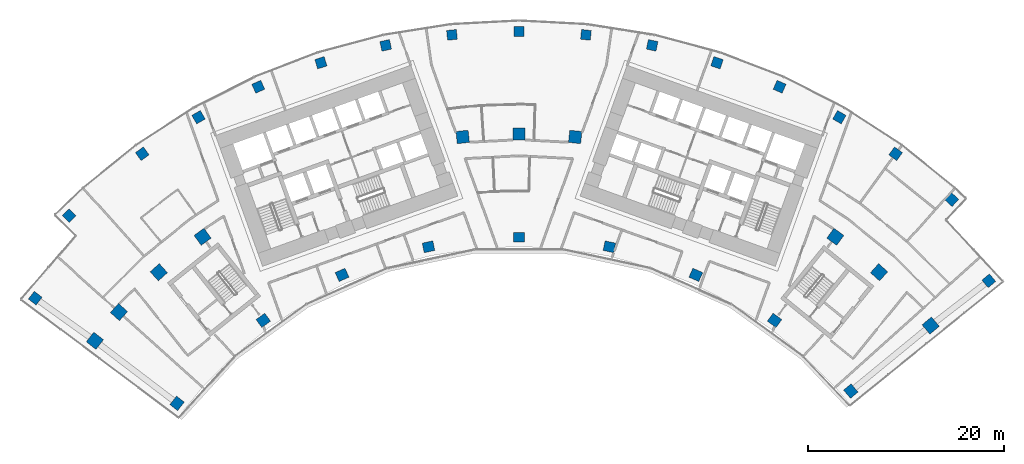
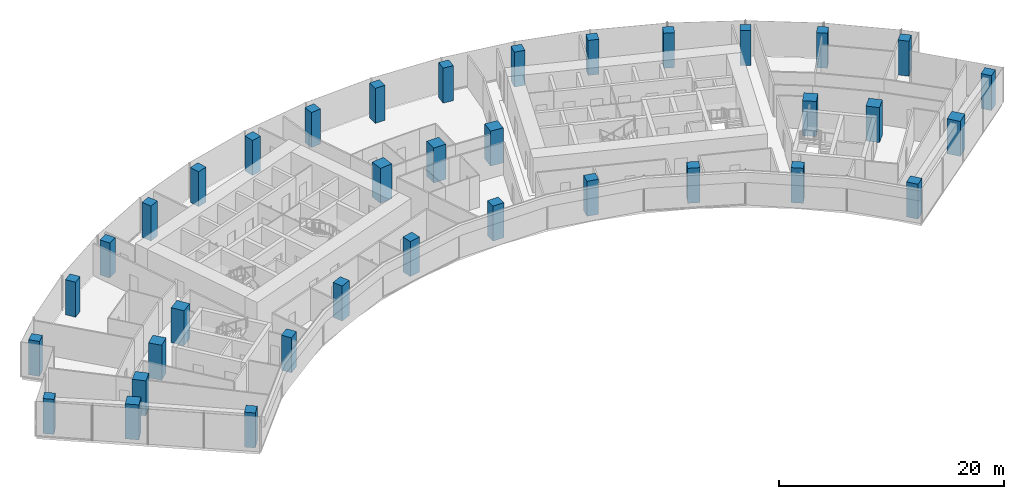
# One storey, part 1 of 21: 36 columns.
"""IFC4 building model written with IfcOpenShell, lengths in metres."""

from ifc_helpers import new_model, si_unit, direction, frame, origin, origin_2d, place, context, subcontext, project, spatial, rectangle, extrude, material, material_profile, profile_set, type_object, element, save


model = new_model("IFC4")

# Units and contexts
model_context = context("Model", 3, precision=1e-05, world=origin(), true_north=direction((0.0, 1.0)))
body_context = subcontext(model_context, "Body", "Model", "MODEL_VIEW")
ifc_project = project(units=[si_unit("LENGTHUNIT", "METRE"), si_unit("AREAUNIT", "SQUARE_METRE"), si_unit("VOLUMEUNIT", "CUBIC_METRE"), si_unit("PLANEANGLEUNIT", "RADIAN"), si_unit("MASSUNIT", "GRAM", prefix="KILO")], contexts=[model_context])

# Site, building, storey
site_placement = place(None, origin())
site = spatial("IfcSite", under=ifc_project, at=site_placement, CompositionType="ELEMENT")
building_placement = place(site_placement, origin())
building = spatial("IfcBuilding", under=site, at=building_placement, Name="Stone Belt Terrace Tower", CompositionType="ELEMENT")
storey_placement = place(building_placement, frame((0.0, 0.0, 163.0)))
storey = spatial("IfcBuildingStorey", under=building, at=storey_placement, Name="L39", CompositionType="ELEMENT", Elevation=163.0)

# Columns
ifc_material = material(Name="Concrete B80", Category="concrete")
ifc_material_profile_1 = material_profile(ifc_material, rectangle(XDim=1.0, YDim=1.0, at=origin_2d()), Name="RC 1000x1000")
ifc_profile_set_1 = profile_set([ifc_material_profile_1], Name="Concrete B80")
column_type_1 = type_object("IfcColumnType", Name="Column RC 1000x1000 B80", PredefinedType="COLUMN", material=ifc_profile_set_1)
for number, where, z_axis, x_axis, name in (
    (1, (-49.432861328125, 38.226318359375, 0.0), (0.0, 0.0, 1.0), (0.611730019057, 0.791066611472, 0.0), "Column L39 RA"),
    (2, (48.010498046875, 39.998291015625, 0.0), (0.0, 0.0, 1.0), (0.64008556283, -0.768303632854, 0.0), "Column L39 RB"),
    (3, (-45.95849609375, 46.654296875, 0.0), (0.0, 0.0, 1.0), (0.712398494182, 0.701775167334, 0.0), "Column L39 RNA"),
    (4, (-38.493408203125, 52.981689453125, 0.0), (0.0, 0.0, 1.0), (0.809016994375, 0.587785252292, 0.0), "Column L39 R16"),
    (5, (-32.744384765625, 56.715087890625, 0.0), (0.0, 0.0, 1.0), (0.866025403784, 0.5, 0.0), "Column L39 R17"),
    (6, (-26.63671875, 59.8271484375, 0.0), (0.0, 0.0, 1.0), (0.913545457643, 0.406736643076, 0.0), "Column L39 R18"),
    (7, (-20.2373046875, 62.28369140625, 0.0), (0.0, 0.0, 1.0), (0.951056516295, 0.309016994375, 0.0), "Column L39 R19"),
    (8, (-13.615966796875, 64.057861328125, 0.0), (0.0, 0.0, 1.0), (0.978147600734, 0.207911690818, 0.0), "Column L39 R20"),
    (9, (-6.845458984375, 65.130126953125, 0.0), (0.0, 0.0, 1.0), (0.994521895368, 0.104528463268, 0.0), "Column L39 R21"),
    (10, (0.0, 65.489013671875, 0.0), (0.0, 0.0, 1.0), (1.0, 0.0, 0.0), "Column L39 R22"),
    (11, (6.845458984375, 65.130126953125, 0.0), (0.0, 0.0, 1.0), (0.994521895368, -0.104528463268, 0.0), "Column L39 R23"),
    (12, (13.615966796875, 64.057861328125, 0.0), (0.0, 0.0, 1.0), (0.978147600734, -0.207911690818, 0.0), "Column L39 R24"),
    (13, (20.2373046875, 62.28369140625, 0.0), (0.0, 0.0, 1.0), (0.951056516295, -0.309016994375, 0.0), "Column L39 R25"),
    (14, (26.63671875, 59.8271484375, 0.0), (0.0, 0.0, 1.0), (0.913545457643, -0.406736643076, 0.0), "Column L39 R26"),
    (15, (32.744384765625, 56.715087890625, 0.0), (0.0, 0.0, 1.0), (0.866025403784, -0.5, 0.0), "Column L39 R27"),
    (16, (38.493408203125, 52.981689453125, 0.0), (0.0, 0.0, 1.0), (0.809016994375, -0.587785252292, 0.0), "Column L39 R28"),
    (17, (44.23193359375, 48.294189453125, 0.0), (0.0, 0.0, 1.0), (0.737441213814, -0.67541132369, 0.0), "Column L39 RNB"),
):
    element("IfcColumn", number, at=place(storey_placement, frame(where, z_axis=z_axis, x_axis=x_axis)), inside=storey, type_object=column_type_1, Name=name, PredefinedType="COLUMN", context=body_context, shape_type="SweptSolid", body=[
        extrude(rectangle(XDim=1.0, YDim=1.0, at=origin_2d()), origin(), (0.0, 0.0, 1.0), 3.800048828125),
    ])
ifc_material_profile_2 = material_profile(ifc_material, rectangle(XDim=1.10009765625, YDim=1.0, at=origin_2d()), Name="RC 1100x1000")
ifc_profile_set_2 = profile_set([ifc_material_profile_2], Name="Concrete B80")
column_type_2 = type_object("IfcColumnType", Name="Column RC 1100x1000 B80", PredefinedType="COLUMN", material=ifc_profile_set_2)
for number, where, z_axis, x_axis, name in (
    (18, (-34.93408203125, 27.476806640625, 0.0), (0.0, 0.0, 1.0), (0.618217727677, 0.786006896399, 0.0), "Column L39 PA"),
    (19, (-26.1240234375, 35.956787109375, 0.0), (0.0, 0.0, 1.0), (0.809016994375, 0.587785252292, 0.0), "Column L39 P16"),
    (20, (-18.077392578125, 40.6025390625, 0.0), (0.0, 0.0, 1.0), (0.913545457643, 0.406736643076, 0.0), "Column L39 P18"),
    (21, (-9.240478515625, 43.473876953125, 0.0), (0.0, 0.0, 1.0), (0.978147600734, 0.207911690818, 0.0), "Column L39 P20"),
    (22, (0.0, 44.445068359375, 0.0), (0.0, 0.0, 1.0), (1.0, 0.0, 0.0), "Column L39 P22"),
    (23, (9.240478515625, 43.473876953125, 0.0), (0.0, 0.0, 1.0), (0.978147600734, -0.207911690818, 0.0), "Column L39 P24"),
    (24, (18.077392578125, 40.6025390625, 0.0), (0.0, 0.0, 1.0), (0.913545457643, -0.406736643076, 0.0), "Column L39 P26"),
    (25, (26.1240234375, 35.956787109375, 0.0), (0.0, 0.0, 1.0), (0.809016994375, -0.587785252292, 0.0), "Column L39 P28"),
    (26, (33.912109375, 28.728515625, 0.0), (0.0, 0.0, 1.0), (0.646385031856, -0.763011396109, 0.0), "Column L39 PB"),
):
    element("IfcColumn", number, at=place(storey_placement, frame(where, z_axis=z_axis, x_axis=x_axis)), inside=storey, type_object=column_type_2, Name=name, PredefinedType="COLUMN", context=body_context, shape_type="SweptSolid", body=[
        extrude(rectangle(XDim=1.10009765625, YDim=1.0, at=origin_2d()), origin(), (0.0, 0.0, 1.0), 3.800048828125),
    ])
ifc_material_profile_3 = material_profile(ifc_material, rectangle(XDim=1.25, YDim=1.25, at=origin_2d()), Name="RC 1250x1250")
ifc_profile_set_3 = profile_set([ifc_material_profile_3], Name="Concrete B80")
column_type_3 = type_object("IfcColumnType", Name="Column RC 1250x1250 B80", PredefinedType="COLUMN", material=ifc_profile_set_3)
for number, where, z_axis, x_axis, name in (
    (27, (-43.33349609375, 33.870361328125, 0.0), (0.0, 0.0, 1.0), (0.615825127294, 0.787882867306, 0.0), "Column L39 QA"),
    (28, (-40.873046875, 36.80224609375, 0.0), (0.0, 0.0, 1.0), (0.669130606359, 0.743144825477, 0.0), "Column L39 Q14"),
    (29, (-36.80224609375, 40.873046875, 0.0), (0.0, 0.0, 1.0), (0.743144825477, 0.669130606359, 0.0), "Column L39 Q15"),
    (30, (-32.328125, 44.495849609375, 0.0), (0.0, 0.0, 1.0), (0.809016994375, 0.587785252292, 0.0), "Column L39 Q16"),
    (31, (-5.7490234375, 54.69873046875, 0.0), (0.0, 0.0, 1.0), (0.994521895368, 0.104528463268, 0.0), "Column L39 Q21"),
    (32, (0.0, 55.0, 0.0), (0.0, 0.0, 1.0), (1.0, 0.0, 0.0), "Column L39 Q22"),
    (33, (5.7490234375, 54.69873046875, 0.0), (0.0, 0.0, 1.0), (0.994521895368, -0.104528463268, 0.0), "Column L39 Q23"),
    (34, (32.328125, 44.495849609375, 0.0), (0.0, 0.0, 1.0), (0.809016994375, -0.587785252292, 0.0), "Column L39 Q28"),
    (35, (36.80224609375, 40.873046875, 0.0), (0.0, 0.0, 1.0), (0.743144825477, -0.669130606359, 0.0), "Column L39 Q29"),
    (36, (42.073486328125, 35.42333984375, 0.0), (0.0, 0.0, 1.0), (0.644062215859, -0.764973112013, 0.0), "Column L39 QB"),
):
    element("IfcColumn", number, at=place(storey_placement, frame(where, z_axis=z_axis, x_axis=x_axis)), inside=storey, type_object=column_type_3, Name=name, PredefinedType="COLUMN", context=body_context, shape_type="SweptSolid", body=[
        extrude(rectangle(XDim=1.25, YDim=1.25, at=origin_2d()), origin(), (0.0, 0.0, 1.0), 3.800048828125),
    ])

save(model, "model.ifc")
